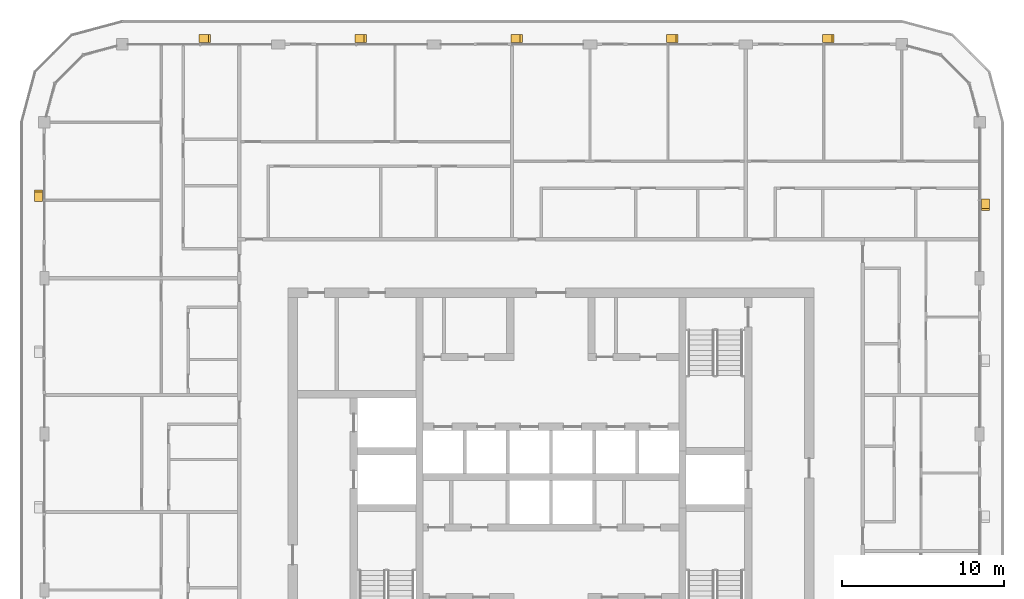
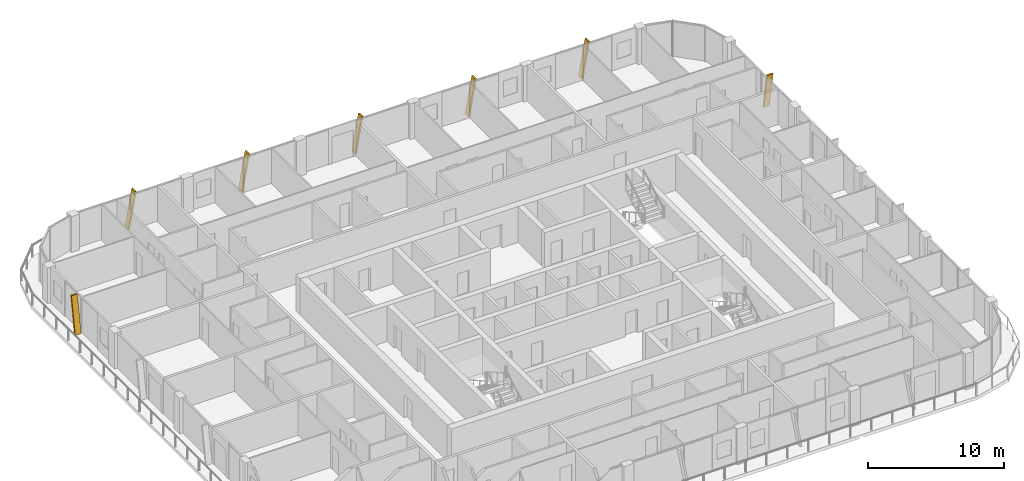
# One storey, part 22 of 22: 7 shading devices.
"""IFC4 building model written with IfcOpenShell, lengths in metres."""

from ifc_helpers import new_model, si_unit, direction, frame, origin, place, context, subcontext, project, spatial, polyline, outline, extrude, material, type_object, element, save


model = new_model("IFC4")

# Units and contexts
model_context = context("Model", 3, precision=1e-05, world=origin(), true_north=direction((0.0, 1.0)))
body_context = subcontext(model_context, "Body", "Model", "MODEL_VIEW")
ifc_project = project(units=[si_unit("LENGTHUNIT", "METRE"), si_unit("AREAUNIT", "SQUARE_METRE"), si_unit("VOLUMEUNIT", "CUBIC_METRE"), si_unit("PLANEANGLEUNIT", "RADIAN"), si_unit("MASSUNIT", "GRAM", prefix="KILO")], contexts=[model_context])

# Site, building, storey
site_placement = place(None, origin())
site = spatial("IfcSite", under=ifc_project, at=site_placement, CompositionType="ELEMENT")
building_placement = place(site_placement, origin())
building = spatial("IfcBuilding", under=site, at=building_placement, Name="Madar Terraces", CompositionType="ELEMENT")
storey_placement = place(building_placement, frame((0.0, 0.0, 256.199951171875)))
storey = spatial("IfcBuildingStorey", under=building, at=storey_placement, Name="L67", CompositionType="ELEMENT", Elevation=256.199951171875)

# Shading devices
ifc_material = material(Name="Aluminium, black anodised", Category="aluminium")
shading_device_type = type_object("IfcShadingDeviceType", Name="Facade fin blade 140 x 500", PredefinedType="USERDEFINED", material=ifc_material)
for number, where, z_axis, x_axis, name in (
    (1, (57.949951171875, 43.1298828125, 0.0), (0.0, 0.0, 1.0), (0.0, 1.0, 0.0), "FIN L67 E4"),
    (2, (48.070068359375, 53.14990234375, 0.0), (0.0, 0.0, 1.0), (-1.0, 0.0, 0.0), "FIN L67 N1"),
):
    element("IfcShadingDevice", number, at=place(storey_placement, frame(where, z_axis=z_axis, x_axis=x_axis)), inside=storey, type_object=shading_device_type, Name=name, ObjectType="FIN", PredefinedType="USERDEFINED", context=body_context, shape_type="SweptSolid", body=[
        extrude(outline(polyline([(0.0, 0.0), (0.14013671875, 0.0), (-0.42431640625, 3.199951171875), (-0.564208984375, 3.199951171875), (0.0, 0.0)])), frame((0.0, 0.25, 0.0), z_axis=(0.0, -1.0, 0.0), x_axis=(1.0, 0.0, 0.0)), (0.0, 0.0, 1.0), 0.5),
    ])
shading_device_1_placement = place(storey_placement, frame((38.469970703125, 53.14990234375, 0.0), z_axis=(0.0, 0.0, 1.0), x_axis=(-1.0, 0.0, 0.0)))
element("IfcShadingDevice", 3, at=shading_device_1_placement, inside=storey, type_object=shading_device_type, Name="FIN L67 N2", ObjectType="FIN", PredefinedType="USERDEFINED", context=body_context, shape_type="SweptSolid", body=[
    extrude(outline(polyline([(0.0, 0.0), (0.139892578125, 0.0), (-0.42431640625, 3.199951171875), (-0.564208984375, 3.199951171875), (0.0, 0.0)])), frame((0.0, 0.25, 0.0), z_axis=(0.0, -1.0, 0.0), x_axis=(1.0, 0.0, 0.0)), (0.0, 0.0, 1.0), 0.5),
])
for number, where, z_axis, x_axis, name in (
    (4, (28.8701171875, 53.14990234375, 0.0), (0.0, 0.0, 1.0), (-1.0, 0.0, 0.0), "FIN L67 N3"),
    (5, (19.27001953125, 53.14990234375, 0.0), (0.0, 0.0, 1.0), (-1.0, 0.0, 0.0), "FIN L67 N4"),
):
    element("IfcShadingDevice", number, at=place(storey_placement, frame(where, z_axis=z_axis, x_axis=x_axis)), inside=storey, type_object=shading_device_type, Name=name, ObjectType="FIN", PredefinedType="USERDEFINED", context=body_context, shape_type="SweptSolid", body=[
        extrude(outline(polyline([(0.0, 0.0), (0.14013671875, 0.0), (-0.42431640625, 3.199951171875), (-0.564208984375, 3.199951171875), (0.0, 0.0)])), frame((0.0, 0.25, 0.0), z_axis=(0.0, -1.0, 0.0), x_axis=(1.0, 0.0, 0.0)), (0.0, 0.0, 1.0), 0.5),
    ])
shading_device_2_placement = place(storey_placement, frame((9.669921875, 53.14990234375, 0.0), z_axis=(0.0, 0.0, 1.0), x_axis=(-1.0, 0.0, 0.0)))
element("IfcShadingDevice", 6, at=shading_device_2_placement, inside=storey, type_object=shading_device_type, Name="FIN L67 N5", ObjectType="FIN", PredefinedType="USERDEFINED", context=body_context, shape_type="SweptSolid", body=[
    extrude(outline(polyline([(0.0, 0.0), (0.139892578125, 0.0), (-0.42431640625, 3.199951171875), (-0.564208984375, 3.199951171875), (0.0, 0.0)])), frame((0.0, 0.25, 0.0), z_axis=(0.0, -1.0, 0.0), x_axis=(1.0, 0.0, 0.0)), (0.0, 0.0, 1.0), 0.5),
])
shading_device_3_placement = place(storey_placement, frame((-0.35009765625, 43.27001953125, 0.0), z_axis=(0.0, 0.0, 1.0), x_axis=(0.0, -1.0, 0.0)))
element("IfcShadingDevice", 7, at=shading_device_3_placement, inside=storey, type_object=shading_device_type, Name="FIN L67 W1", ObjectType="FIN", PredefinedType="USERDEFINED", context=body_context, shape_type="SweptSolid", body=[
    extrude(outline(polyline([(0.0, 0.0), (0.14013671875, 0.0), (-0.42431640625, 3.199951171875), (-0.564208984375, 3.199951171875), (0.0, 0.0)])), frame((0.0, 0.25, 0.0), z_axis=(0.0, -1.0, 0.0), x_axis=(1.0, 0.0, 0.0)), (0.0, 0.0, 1.0), 0.5),
])

save(model, "model.ifc")
